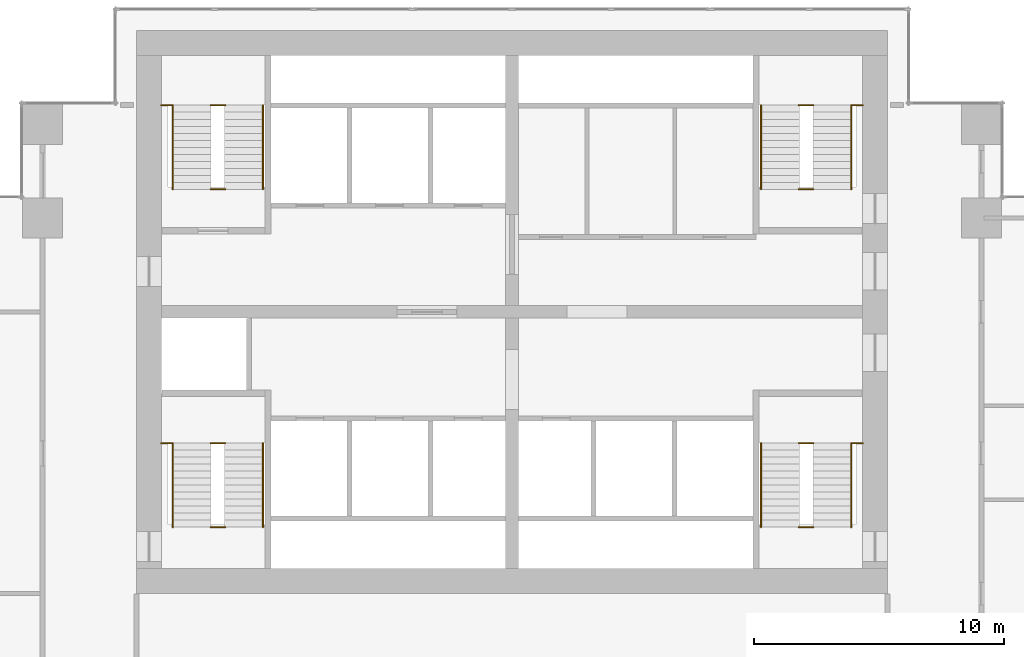
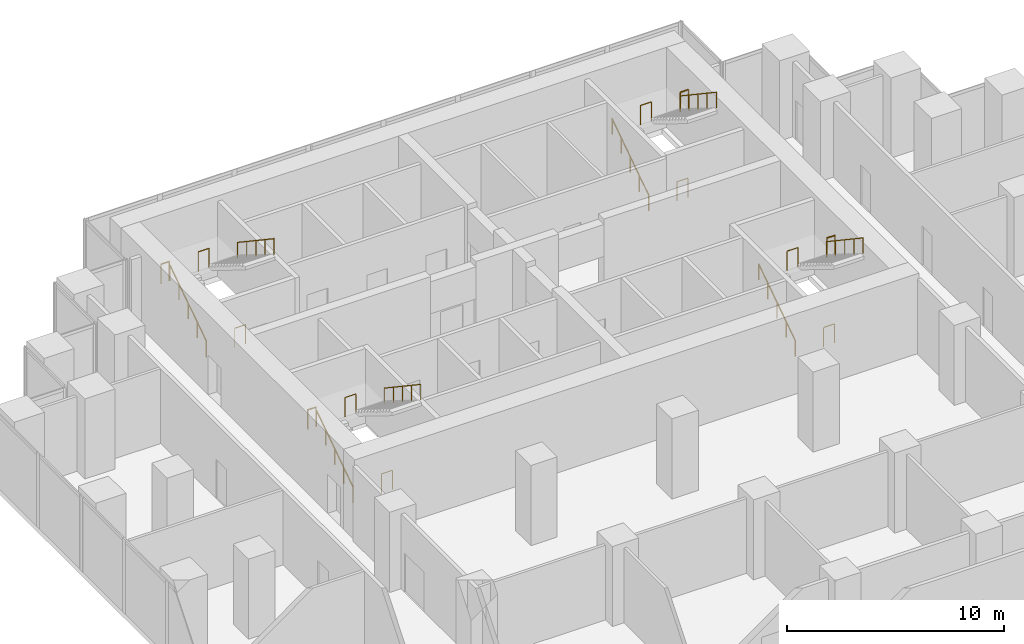
# One storey, part 10 of 10: 20 railings.
"""IFC4 building model written with IfcOpenShell, lengths in metres."""

from ifc_helpers import new_model, si_unit, direction, frame, origin, origin_2d, place, context, subcontext, project, spatial, circle, extrude, material, type_object, element, save


model = new_model("IFC4")

# Units and contexts
model_context = context("Model", 3, precision=1e-05, world=origin(), true_north=direction((0.0, 1.0)))
body_context = subcontext(model_context, "Body", "Model", "MODEL_VIEW")
ifc_project = project(units=[si_unit("LENGTHUNIT", "METRE"), si_unit("AREAUNIT", "SQUARE_METRE"), si_unit("VOLUMEUNIT", "CUBIC_METRE"), si_unit("PLANEANGLEUNIT", "RADIAN"), si_unit("MASSUNIT", "GRAM", prefix="KILO")], contexts=[model_context])

# Site, building, storey
site_placement = place(None, origin())
site = spatial("IfcSite", under=ifc_project, at=site_placement, CompositionType="ELEMENT")
building_placement = place(site_placement, origin())
building = spatial("IfcBuilding", under=site, at=building_placement, Name="Pilkhan Gate Tower", CompositionType="ELEMENT")
storey_placement = place(building_placement, frame((0.0, 0.0, 35.0)))
storey = spatial("IfcBuildingStorey", under=building, at=storey_placement, Name="L05", CompositionType="ELEMENT", Elevation=35.0)

# Railings
ifc_material_1 = material(Name="Black powder-coated steel tube", Category="steel")
railing_type_1 = type_object("IfcRailingType", Name="Stair handrail HR1", PredefinedType="HANDRAIL", material=ifc_material_1)
railing_1_placement = place(storey_placement, frame((84.949951171875, 73.89990234375, 0.0)))
element("IfcRailing", 1, at=railing_1_placement, inside=storey, type_object=railing_type_1, Name="Stair ST1 handrail L05", PredefinedType="HANDRAIL", context=body_context, shape_type="SweptSolid", body=[
    extrude(circle(Radius=0.02392578125, at=origin_2d()), frame((0.0, 0.0, 0.8759765625), z_axis=(0.0, 0.830915400975, 0.556398774641), x_axis=(-1.0, 0.0, 0.0)), (0.0, 0.0, 1.0), 4.0439453125),
    extrude(circle(Radius=0.02099609375, at=origin_2d()), origin(), (0.0, 0.0, 1.0), 0.851806640625),
    extrude(circle(Radius=0.02099609375, at=origin_2d()), frame((0.0, 0.840087890625, 0.5625)), (0.0, 0.0, 1.0), 0.851806640625),
    extrude(circle(Radius=0.02099609375, at=origin_2d()), frame((0.0, 1.68017578125, 1.125)), (0.0, 0.0, 1.0), 0.851806640625),
    extrude(circle(Radius=0.02099609375, at=origin_2d()), frame((0.0, 2.52001953125, 1.6875)), (0.0, 0.0, 1.0), 0.851806640625),
    extrude(circle(Radius=0.02099609375, at=origin_2d()), frame((0.0, 3.360107421875, 2.25)), (0.0, 0.0, 1.0), 0.851806640625),
])
railing_2_placement = place(storey_placement, frame((88.550048828125, 77.260009765625, 2.25)))
element("IfcRailing", 2, at=railing_2_placement, inside=storey, type_object=railing_type_1, Name="Stair ST1 handrail L05", PredefinedType="HANDRAIL", context=body_context, shape_type="SweptSolid", body=[
    extrude(circle(Radius=0.02392578125, at=origin_2d()), frame((0.0, 0.0, 0.8759765625), z_axis=(0.0, -0.830915400975, 0.556398774641), x_axis=(1.0, 0.0, 0.0)), (0.0, 0.0, 1.0), 4.0439453125),
    extrude(circle(Radius=0.02099609375, at=origin_2d()), origin(), (0.0, 0.0, 1.0), 0.851806640625),
    extrude(circle(Radius=0.02099609375, at=origin_2d()), frame((0.0, -0.840087890625, 0.5625)), (0.0, 0.0, 1.0), 0.851806640625),
    extrude(circle(Radius=0.02099609375, at=origin_2d()), frame((0.0, -1.68017578125, 1.125)), (0.0, 0.0, 1.0), 0.851806640625),
    extrude(circle(Radius=0.02099609375, at=origin_2d()), frame((0.0, -2.52001953125, 1.6875)), (0.0, 0.0, 1.0), 0.851806640625),
    extrude(circle(Radius=0.02099609375, at=origin_2d()), frame((0.0, -3.360107421875, 2.25)), (0.0, 0.0, 1.0), 0.851806640625),
])
railing_3_placement = place(storey_placement, frame((61.449951171875, 73.89990234375, 0.0)))
element("IfcRailing", 3, at=railing_3_placement, inside=storey, type_object=railing_type_1, Name="Stair ST2 handrail L05", PredefinedType="HANDRAIL", context=body_context, shape_type="SweptSolid", body=[
    extrude(circle(Radius=0.02392578125, at=origin_2d()), frame((0.0, 0.0, 0.8759765625), z_axis=(0.0, 0.830915400975, 0.556398774641), x_axis=(-1.0, 0.0, 0.0)), (0.0, 0.0, 1.0), 4.0439453125),
    extrude(circle(Radius=0.02099609375, at=origin_2d()), origin(), (0.0, 0.0, 1.0), 0.851806640625),
    extrude(circle(Radius=0.02099609375, at=origin_2d()), frame((0.0, 0.840087890625, 0.5625)), (0.0, 0.0, 1.0), 0.851806640625),
    extrude(circle(Radius=0.02099609375, at=origin_2d()), frame((0.0, 1.68017578125, 1.125)), (0.0, 0.0, 1.0), 0.851806640625),
    extrude(circle(Radius=0.02099609375, at=origin_2d()), frame((0.0, 2.52001953125, 1.6875)), (0.0, 0.0, 1.0), 0.851806640625),
    extrude(circle(Radius=0.02099609375, at=origin_2d()), frame((0.0, 3.360107421875, 2.25)), (0.0, 0.0, 1.0), 0.851806640625),
])
railing_4_placement = place(storey_placement, frame((65.050048828125, 77.260009765625, 2.25)))
element("IfcRailing", 4, at=railing_4_placement, inside=storey, type_object=railing_type_1, Name="Stair ST2 handrail L05", PredefinedType="HANDRAIL", context=body_context, shape_type="SweptSolid", body=[
    extrude(circle(Radius=0.02392578125, at=origin_2d()), frame((0.0, 0.0, 0.8759765625), z_axis=(0.0, -0.830915400975, 0.556398774641), x_axis=(1.0, 0.0, 0.0)), (0.0, 0.0, 1.0), 4.0439453125),
    extrude(circle(Radius=0.02099609375, at=origin_2d()), origin(), (0.0, 0.0, 1.0), 0.851806640625),
    extrude(circle(Radius=0.02099609375, at=origin_2d()), frame((0.0, -0.840087890625, 0.5625)), (0.0, 0.0, 1.0), 0.851806640625),
    extrude(circle(Radius=0.02099609375, at=origin_2d()), frame((0.0, -1.68017578125, 1.125)), (0.0, 0.0, 1.0), 0.851806640625),
    extrude(circle(Radius=0.02099609375, at=origin_2d()), frame((0.0, -2.52001953125, 1.6875)), (0.0, 0.0, 1.0), 0.851806640625),
    extrude(circle(Radius=0.02099609375, at=origin_2d()), frame((0.0, -3.360107421875, 2.25)), (0.0, 0.0, 1.0), 0.851806640625),
])
railing_5_placement = place(storey_placement, frame((61.449951171875, 87.39990234375, 0.0)))
element("IfcRailing", 5, at=railing_5_placement, inside=storey, type_object=railing_type_1, Name="Stair ST3 handrail L05", PredefinedType="HANDRAIL", context=body_context, shape_type="SweptSolid", body=[
    extrude(circle(Radius=0.02392578125, at=origin_2d()), frame((0.0, 0.0, 0.8759765625), z_axis=(0.0, 0.830915400975, 0.556398774641), x_axis=(-1.0, 0.0, 0.0)), (0.0, 0.0, 1.0), 4.0439453125),
    extrude(circle(Radius=0.02099609375, at=origin_2d()), origin(), (0.0, 0.0, 1.0), 0.851806640625),
    extrude(circle(Radius=0.02099609375, at=origin_2d()), frame((0.0, 0.840087890625, 0.5625)), (0.0, 0.0, 1.0), 0.851806640625),
    extrude(circle(Radius=0.02099609375, at=origin_2d()), frame((0.0, 1.68017578125, 1.125)), (0.0, 0.0, 1.0), 0.851806640625),
    extrude(circle(Radius=0.02099609375, at=origin_2d()), frame((0.0, 2.52001953125, 1.6875)), (0.0, 0.0, 1.0), 0.851806640625),
    extrude(circle(Radius=0.02099609375, at=origin_2d()), frame((0.0, 3.360107421875, 2.25)), (0.0, 0.0, 1.0), 0.851806640625),
])
railing_6_placement = place(storey_placement, frame((65.050048828125, 90.760009765625, 2.25)))
element("IfcRailing", 6, at=railing_6_placement, inside=storey, type_object=railing_type_1, Name="Stair ST3 handrail L05", PredefinedType="HANDRAIL", context=body_context, shape_type="SweptSolid", body=[
    extrude(circle(Radius=0.02392578125, at=origin_2d()), frame((0.0, 0.0, 0.8759765625), z_axis=(0.0, -0.830915400975, 0.556398774641), x_axis=(1.0, 0.0, 0.0)), (0.0, 0.0, 1.0), 4.0439453125),
    extrude(circle(Radius=0.02099609375, at=origin_2d()), origin(), (0.0, 0.0, 1.0), 0.851806640625),
    extrude(circle(Radius=0.02099609375, at=origin_2d()), frame((0.0, -0.840087890625, 0.5625)), (0.0, 0.0, 1.0), 0.851806640625),
    extrude(circle(Radius=0.02099609375, at=origin_2d()), frame((0.0, -1.68017578125, 1.125)), (0.0, 0.0, 1.0), 0.851806640625),
    extrude(circle(Radius=0.02099609375, at=origin_2d()), frame((0.0, -2.52001953125, 1.6875)), (0.0, 0.0, 1.0), 0.851806640625),
    extrude(circle(Radius=0.02099609375, at=origin_2d()), frame((0.0, -3.360107421875, 2.25)), (0.0, 0.0, 1.0), 0.851806640625),
])
railing_7_placement = place(storey_placement, frame((84.949951171875, 87.39990234375, 0.0)))
element("IfcRailing", 7, at=railing_7_placement, inside=storey, type_object=railing_type_1, Name="Stair ST4 handrail L05", PredefinedType="HANDRAIL", context=body_context, shape_type="SweptSolid", body=[
    extrude(circle(Radius=0.02392578125, at=origin_2d()), frame((0.0, 0.0, 0.8759765625), z_axis=(0.0, 0.830915400975, 0.556398774641), x_axis=(-1.0, 0.0, 0.0)), (0.0, 0.0, 1.0), 4.0439453125),
    extrude(circle(Radius=0.02099609375, at=origin_2d()), origin(), (0.0, 0.0, 1.0), 0.851806640625),
    extrude(circle(Radius=0.02099609375, at=origin_2d()), frame((0.0, 0.840087890625, 0.5625)), (0.0, 0.0, 1.0), 0.851806640625),
    extrude(circle(Radius=0.02099609375, at=origin_2d()), frame((0.0, 1.68017578125, 1.125)), (0.0, 0.0, 1.0), 0.851806640625),
    extrude(circle(Radius=0.02099609375, at=origin_2d()), frame((0.0, 2.52001953125, 1.6875)), (0.0, 0.0, 1.0), 0.851806640625),
    extrude(circle(Radius=0.02099609375, at=origin_2d()), frame((0.0, 3.360107421875, 2.25)), (0.0, 0.0, 1.0), 0.851806640625),
])
railing_8_placement = place(storey_placement, frame((88.550048828125, 90.760009765625, 2.25)))
element("IfcRailing", 8, at=railing_8_placement, inside=storey, type_object=railing_type_1, Name="Stair ST4 handrail L05", PredefinedType="HANDRAIL", context=body_context, shape_type="SweptSolid", body=[
    extrude(circle(Radius=0.02392578125, at=origin_2d()), frame((0.0, 0.0, 0.8759765625), z_axis=(0.0, -0.830915400975, 0.556398774641), x_axis=(1.0, 0.0, 0.0)), (0.0, 0.0, 1.0), 4.0439453125),
    extrude(circle(Radius=0.02099609375, at=origin_2d()), origin(), (0.0, 0.0, 1.0), 0.851806640625),
    extrude(circle(Radius=0.02099609375, at=origin_2d()), frame((0.0, -0.840087890625, 0.5625)), (0.0, 0.0, 1.0), 0.851806640625),
    extrude(circle(Radius=0.02099609375, at=origin_2d()), frame((0.0, -1.68017578125, 1.125)), (0.0, 0.0, 1.0), 0.851806640625),
    extrude(circle(Radius=0.02099609375, at=origin_2d()), frame((0.0, -2.52001953125, 1.6875)), (0.0, 0.0, 1.0), 0.851806640625),
    extrude(circle(Radius=0.02099609375, at=origin_2d()), frame((0.0, -3.360107421875, 2.25)), (0.0, 0.0, 1.0), 0.851806640625),
])
ifc_material_2 = material(Name="Black powder-coated steel balusters", Category="steel")
railing_type_2 = type_object("IfcRailingType", Name="Stair well guard G3", PredefinedType="GUARDRAIL", material=ifc_material_2)
railing_9_placement = place(storey_placement, frame((88.580078125, 77.260009765625, 2.25)))
element("IfcRailing", 9, at=railing_9_placement, inside=storey, type_object=railing_type_2, Name="Stair ST1 well guard L05", PredefinedType="GUARDRAIL", context=body_context, shape_type="SweptSolid", body=[
    extrude(circle(Radius=0.02392578125, at=origin_2d()), frame((0.0, 0.0, 1.076171875), z_axis=(1.0, 0.0, 0.0), x_axis=(0.0, 1.0, 0.0)), (0.0, 0.0, 1.0), 0.43994140625),
    extrude(circle(Radius=0.02099609375, at=origin_2d()), origin(), (0.0, 0.0, 1.0), 1.052001953125),
    extrude(circle(Radius=0.02099609375, at=origin_2d()), frame((0.43994140625, 0.0, 0.0)), (0.0, 0.0, 1.0), 1.052001953125),
])
for number, where, name in (
    (10, (86.4599609375, 73.89990234375, 0.0), "Stair ST1 well guard L05"),
    (11, (86.4599609375, 77.260009765625, 2.25), "Stair ST1 well guard L05"),
):
    element("IfcRailing", number, at=place(storey_placement, frame(where)), inside=storey, type_object=railing_type_2, Name=name, PredefinedType="GUARDRAIL", context=body_context, shape_type="SweptSolid", body=[
        extrude(circle(Radius=0.02392578125, at=origin_2d()), frame((0.0, 0.0, 1.076171875), z_axis=(1.0, 0.0, 0.0), x_axis=(0.0, 1.0, 0.0)), (0.0, 0.0, 1.0), 0.580078125),
        extrude(circle(Radius=0.02099609375, at=origin_2d()), origin(), (0.0, 0.0, 1.0), 1.052001953125),
        extrude(circle(Radius=0.02099609375, at=origin_2d()), frame((0.580078125, 0.0, 0.0)), (0.0, 0.0, 1.0), 1.052001953125),
    ])
railing_10_placement = place(storey_placement, frame((60.97998046875, 77.260009765625, 2.25)))
element("IfcRailing", 12, at=railing_10_placement, inside=storey, type_object=railing_type_2, Name="Stair ST2 well guard L05", PredefinedType="GUARDRAIL", context=body_context, shape_type="SweptSolid", body=[
    extrude(circle(Radius=0.02392578125, at=origin_2d()), frame((0.0, 0.0, 1.076171875), z_axis=(1.0, 0.0, 0.0), x_axis=(0.0, 1.0, 0.0)), (0.0, 0.0, 1.0), 0.43994140625),
    extrude(circle(Radius=0.02099609375, at=origin_2d()), origin(), (0.0, 0.0, 1.0), 1.052001953125),
    extrude(circle(Radius=0.02099609375, at=origin_2d()), frame((0.43994140625, 0.0, 0.0)), (0.0, 0.0, 1.0), 1.052001953125),
])
for number, where, name in (
    (13, (62.9599609375, 73.89990234375, 0.0), "Stair ST2 well guard L05"),
    (14, (62.9599609375, 77.260009765625, 2.25), "Stair ST2 well guard L05"),
):
    element("IfcRailing", number, at=place(storey_placement, frame(where)), inside=storey, type_object=railing_type_2, Name=name, PredefinedType="GUARDRAIL", context=body_context, shape_type="SweptSolid", body=[
        extrude(circle(Radius=0.02392578125, at=origin_2d()), frame((0.0, 0.0, 1.076171875), z_axis=(1.0, 0.0, 0.0), x_axis=(0.0, 1.0, 0.0)), (0.0, 0.0, 1.0), 0.580078125),
        extrude(circle(Radius=0.02099609375, at=origin_2d()), origin(), (0.0, 0.0, 1.0), 1.052001953125),
        extrude(circle(Radius=0.02099609375, at=origin_2d()), frame((0.580078125, 0.0, 0.0)), (0.0, 0.0, 1.0), 1.052001953125),
    ])
railing_11_placement = place(storey_placement, frame((60.97998046875, 90.760009765625, 2.25)))
element("IfcRailing", 15, at=railing_11_placement, inside=storey, type_object=railing_type_2, Name="Stair ST3 well guard L05", PredefinedType="GUARDRAIL", context=body_context, shape_type="SweptSolid", body=[
    extrude(circle(Radius=0.02392578125, at=origin_2d()), frame((0.0, 0.0, 1.076171875), z_axis=(1.0, 0.0, 0.0), x_axis=(0.0, 1.0, 0.0)), (0.0, 0.0, 1.0), 0.43994140625),
    extrude(circle(Radius=0.02099609375, at=origin_2d()), origin(), (0.0, 0.0, 1.0), 1.052001953125),
    extrude(circle(Radius=0.02099609375, at=origin_2d()), frame((0.43994140625, 0.0, 0.0)), (0.0, 0.0, 1.0), 1.052001953125),
])
for number, where, name in (
    (16, (62.9599609375, 87.39990234375, 0.0), "Stair ST3 well guard L05"),
    (17, (62.9599609375, 90.760009765625, 2.25), "Stair ST3 well guard L05"),
):
    element("IfcRailing", number, at=place(storey_placement, frame(where)), inside=storey, type_object=railing_type_2, Name=name, PredefinedType="GUARDRAIL", context=body_context, shape_type="SweptSolid", body=[
        extrude(circle(Radius=0.02392578125, at=origin_2d()), frame((0.0, 0.0, 1.076171875), z_axis=(1.0, 0.0, 0.0), x_axis=(0.0, 1.0, 0.0)), (0.0, 0.0, 1.0), 0.580078125),
        extrude(circle(Radius=0.02099609375, at=origin_2d()), origin(), (0.0, 0.0, 1.0), 1.052001953125),
        extrude(circle(Radius=0.02099609375, at=origin_2d()), frame((0.580078125, 0.0, 0.0)), (0.0, 0.0, 1.0), 1.052001953125),
    ])
railing_12_placement = place(storey_placement, frame((88.580078125, 90.760009765625, 2.25)))
element("IfcRailing", 18, at=railing_12_placement, inside=storey, type_object=railing_type_2, Name="Stair ST4 well guard L05", PredefinedType="GUARDRAIL", context=body_context, shape_type="SweptSolid", body=[
    extrude(circle(Radius=0.02392578125, at=origin_2d()), frame((0.0, 0.0, 1.076171875), z_axis=(1.0, 0.0, 0.0), x_axis=(0.0, 1.0, 0.0)), (0.0, 0.0, 1.0), 0.43994140625),
    extrude(circle(Radius=0.02099609375, at=origin_2d()), origin(), (0.0, 0.0, 1.0), 1.052001953125),
    extrude(circle(Radius=0.02099609375, at=origin_2d()), frame((0.43994140625, 0.0, 0.0)), (0.0, 0.0, 1.0), 1.052001953125),
])
for number, where, name in (
    (19, (86.4599609375, 87.39990234375, 0.0), "Stair ST4 well guard L05"),
    (20, (86.4599609375, 90.760009765625, 2.25), "Stair ST4 well guard L05"),
):
    element("IfcRailing", number, at=place(storey_placement, frame(where)), inside=storey, type_object=railing_type_2, Name=name, PredefinedType="GUARDRAIL", context=body_context, shape_type="SweptSolid", body=[
        extrude(circle(Radius=0.02392578125, at=origin_2d()), frame((0.0, 0.0, 1.076171875), z_axis=(1.0, 0.0, 0.0), x_axis=(0.0, 1.0, 0.0)), (0.0, 0.0, 1.0), 0.580078125),
        extrude(circle(Radius=0.02099609375, at=origin_2d()), origin(), (0.0, 0.0, 1.0), 1.052001953125),
        extrude(circle(Radius=0.02099609375, at=origin_2d()), frame((0.580078125, 0.0, 0.0)), (0.0, 0.0, 1.0), 1.052001953125),
    ])

save(model, "model.ifc")
